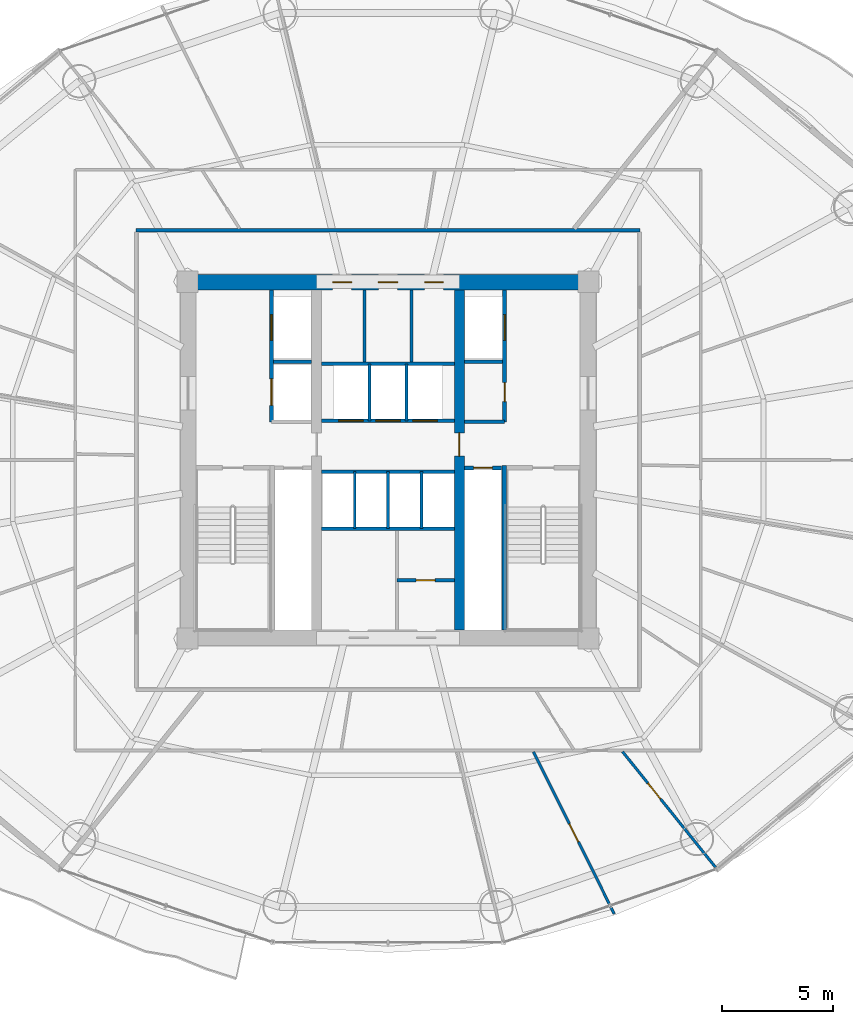
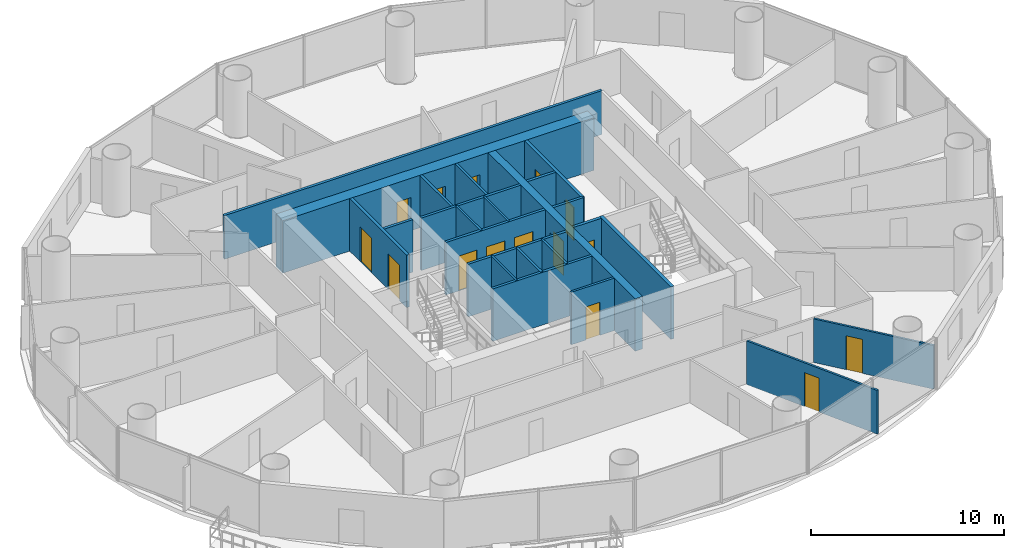
# One storey, part 23 of 29: 24 walls, 15 doors, 15 openings.
"""IFC4 building model written with IfcOpenShell, lengths in metres."""

from ifc_helpers import new_model, si_unit, direction, frame, frame_2d, origin, place, context, subcontext, project, spatial, rectangle, extrude, source, transform, mapped, material, layer, layer_set, type_object, element, fill, save


model = new_model("IFC4")

# Units and contexts
model_context = context("Model", 3, precision=1e-05, world=origin(), true_north=direction((-0.2419218956, 0.970295726276)))
body_context = subcontext(model_context, "Body", "Model", "MODEL_VIEW")
ifc_project = project(units=[si_unit("LENGTHUNIT", "METRE"), si_unit("AREAUNIT", "SQUARE_METRE"), si_unit("VOLUMEUNIT", "CUBIC_METRE"), si_unit("PLANEANGLEUNIT", "RADIAN"), si_unit("MASSUNIT", "GRAM", prefix="KILO")], contexts=[model_context])

# Site, building, storey
site_placement = place(None, origin())
site = spatial("IfcSite", under=ifc_project, at=site_placement, CompositionType="ELEMENT")
building_placement = place(site_placement, origin())
building = spatial("IfcBuilding", under=site, at=building_placement, Name="Cobrevalo Terracotta Tower", CompositionType="ELEMENT")
storey_placement = place(building_placement, frame((0.0, 0.0, 115.800048828125)))
storey = spatial("IfcBuildingStorey", under=building, at=storey_placement, Name="L30", CompositionType="ELEMENT", Elevation=115.800048828125)

# Wall, openings, doors
ifc_material_1 = material(Name="Concrete C60", Category="concrete")
ifc_layer_1 = layer(ifc_material_1, 0.699951171875)
ifc_layer_set_1 = layer_set([ifc_layer_1], Name="Concrete C60")
wall_type_1 = type_object("IfcWallType", Name="Core shear wall 700 mm Concrete C60", PredefinedType="SHEAR", material=ifc_layer_set_1)
wall_1_placement = place(storey_placement, frame((28.675048828125, 34.77490234375, 0.0), z_axis=(0.0, 0.0, 1.0), x_axis=(1.0, 0.0, 0.0)))
wall_1 = element("IfcWall", 1, at=wall_1_placement, inside=storey, type_object=wall_type_1, Name="L30 north core shear wall", PredefinedType="SHEAR", context=body_context, shape_type="SweptSolid", body=[
    extrude(rectangle(XDim=18.64990234375, YDim=0.699951171875, at=frame_2d((9.324951171875, 0.0))), origin(), (0.0, 0.0, 1.0), 3.324951171875),
])
opening_1_placement = place(wall_1_placement, frame((6.83740234375, 0.0, 0.0)))
opening_1 = element("IfcOpeningElement", 2, at=opening_1_placement, cuts=wall_1, Name="Opening ID-22", PredefinedType="OPENING", context=body_context, shape_type="SweptSolid", body=[
    extrude(rectangle(XDim=0.85009765625, YDim=2.10009765625, at=frame_2d((0.425048828125, 1.050048828125))), frame((0.0, 0.35986328125, 0.0), z_axis=(0.0, -1.0, 0.0), x_axis=(1.0, 0.0, 0.0)), (0.0, 0.0, 1.0), 0.719970703125),
])
opening_2_placement = place(wall_1_placement, frame((8.89501953125, 0.0, 0.0)))
opening_2 = element("IfcOpeningElement", 3, at=opening_2_placement, cuts=wall_1, Name="Opening ID-07", PredefinedType="OPENING", context=body_context, shape_type="SweptSolid", body=[
    extrude(rectangle(XDim=0.860107421875, YDim=2.10009765625, at=frame_2d((0.43017578125, 1.050048828125))), frame((0.0, 0.35986328125, 0.0), z_axis=(0.0, -1.0, 0.0), x_axis=(1.0, 0.0, 0.0)), (0.0, 0.0, 1.0), 0.719970703125),
])
opening_3_placement = place(wall_1_placement, frame((10.96240234375, 0.0, 0.0)))
opening_3 = element("IfcOpeningElement", 4, at=opening_3_placement, cuts=wall_1, Name="Opening ID-22", PredefinedType="OPENING", context=body_context, shape_type="SweptSolid", body=[
    extrude(rectangle(XDim=0.85009765625, YDim=2.10009765625, at=frame_2d((0.425048828125, 1.050048828125))), frame((0.0, 0.35986328125, 0.0), z_axis=(0.0, -1.0, 0.0), x_axis=(1.0, 0.0, 0.0)), (0.0, 0.0, 1.0), 0.719970703125),
])
ifc_material_2 = material(Name="Powder-coated steel", Category="steel")
door_type_1 = type_object("IfcDoorType", Name="Riser shaft & meter closet fire access door 850x2100 EI 60", OperationType="NOTDEFINED", PredefinedType="DOOR", material=ifc_material_2)
shared_shape_1 = source(origin(), body_context, "Body", "SweptSolid", [
    extrude(rectangle(XDim=0.85009765625, YDim=2.10009765625, at=frame_2d((0.425048828125, 1.050048828125))), frame((0.0, 0.02490234375, 0.0), z_axis=(0.0, -1.0, 0.0), x_axis=(1.0, 0.0, 0.0)), (0.0, 0.0, 1.0), 0.050048828125),
])
door_1_placement = place(opening_1_placement, frame((0.85009765625, 0.0, 0.0), z_axis=(0.0, 0.0, 1.0), x_axis=(-1.0, 0.0, 0.0)))
door_1 = element("IfcDoor", 5, at=door_1_placement, inside=storey, type_object=door_type_1, Name="L30 core north service door Housekeeping Linen Store", OperationType="SINGLE_SWING_LEFT", OverallHeight=2.10009765625, OverallWidth=0.85009765625, PredefinedType="DOOR", context=body_context, shape_type="MappedRepresentation", body=[
    mapped(shared_shape_1, transform((0.0, 0.0, 0.0), scale=1.0)),
])
fill(opening_1, door_1)
door_2_placement = place(opening_3_placement, frame((0.85009765625, 0.0, 0.0), z_axis=(0.0, 0.0, 1.0), x_axis=(-1.0, 0.0, 0.0)))
door_2 = element("IfcDoor", 6, at=door_2_placement, inside=storey, type_object=door_type_1, Name="L30 core north service door Floor BMS Mechanical Plant", OperationType="SINGLE_SWING_LEFT", OverallHeight=2.10009765625, OverallWidth=0.85009765625, PredefinedType="DOOR", context=body_context, shape_type="MappedRepresentation", body=[
    mapped(shared_shape_1, transform((0.0, 0.0, 0.0), scale=1.0)),
])
fill(opening_3, door_2)
ifc_material_3 = material(Name="Fire-rated moisture-sealed timber", Category="wood")
door_type_2 = type_object("IfcDoorType", Name="Core & podium fire-rated accessible WC door 860x2100 EI 60", OperationType="NOTDEFINED", PredefinedType="DOOR", material=ifc_material_3)
shared_shape_2 = source(origin(), body_context, "Body", "SweptSolid", [
    extrude(rectangle(XDim=0.860107421875, YDim=2.10009765625, at=frame_2d((0.43017578125, 1.050048828125))), frame((0.0, 0.02490234375, 0.0), z_axis=(0.0, -1.0, 0.0), x_axis=(1.0, 0.0, 0.0)), (0.0, 0.0, 1.0), 0.050048828125),
])
door_3_placement = place(opening_2_placement, frame((0.860107421875, 0.0, 0.0), z_axis=(0.0, 0.0, 1.0), x_axis=(-1.0, 0.0, 0.0)))
door_3 = element("IfcDoor", 7, at=door_3_placement, inside=storey, type_object=door_type_2, Name="L30 core north service door Floor Service Toilet WC", OperationType="SINGLE_SWING_RIGHT", OverallHeight=2.10009765625, OverallWidth=0.860107421875, PredefinedType="DOOR", context=body_context, shape_type="MappedRepresentation", body=[
    mapped(shared_shape_2, transform((0.0, 0.0, 0.0), scale=1.0)),
])
fill(opening_2, door_3)

# Walls
ifc_material_4 = material(Name="Gypsum board on steel stud", Category="steel")
ifc_layer_2 = layer(ifc_material_4, 0.159912109375)
ifc_layer_set_2 = layer_set([ifc_layer_2], Name="Gypsum board on steel stud")
wall_type_2 = type_object("IfcWallType", Name="Fire-rated corridor acoustic partition wall 160 mm", PredefinedType="PARTITIONING", material=ifc_layer_set_2)
for number, where, z_axis, x_axis, name in (
    (8, (32.860107421875, 31.219970703125, 0.0), (0.0, 0.0, 1.0), (1.0, 0.0, 0.0), "L30 interior partition IW-L30-FF1-M"),
    (9, (41.425048828125, 31.219970703125, 0.0), (0.0, 0.0, 1.0), (1.0, 0.0, 0.0), "L30 interior partition IW-L30-FF2-M"),
):
    element("IfcWall", number, at=place(storey_placement, frame(where, z_axis=z_axis, x_axis=x_axis)), inside=storey, type_object=wall_type_2, Name=name, PredefinedType="PARTITIONING", context=body_context, shape_type="SweptSolid", body=[
        extrude(rectangle(XDim=1.71484375, YDim=0.159912109375, at=frame_2d((0.857421875, 0.0))), origin(), (0.0, 0.0, 1.0), 3.324951171875),
    ])
wall_2_placement = place(storey_placement, frame((41.425048828125, 28.52001953125, 0.0), z_axis=(0.0, 0.0, 1.0), x_axis=(1.0, 0.0, 0.0)))
element("IfcWall", 10, at=wall_2_placement, inside=storey, type_object=wall_type_2, Name="L30 interior partition IW-L30-FF2-S", PredefinedType="PARTITIONING", context=body_context, shape_type="SweptSolid", body=[
    extrude(rectangle(XDim=1.804931640625, YDim=0.159912109375, at=frame_2d((0.90234375, 0.0))), origin(), (0.0, 0.0, 1.0), 3.324951171875),
])

# Wall, openings, doors
wall_3_placement = place(storey_placement, frame((35.02490234375, 28.56005859375, 0.0), z_axis=(0.0, 0.0, 1.0), x_axis=(1.0, 0.0, 0.0)))
wall_3 = element("IfcWall", 11, at=wall_3_placement, inside=storey, type_object=wall_type_2, Name="L30 interior partition IW-L30-LB-S", PredefinedType="PARTITIONING", context=body_context, shape_type="SweptSolid", body=[
    extrude(rectangle(XDim=5.9501953125, YDim=0.159912109375, at=frame_2d((2.97509765625, 0.0))), origin(), (0.0, 0.0, 1.0), 3.324951171875),
])
opening_4_placement = place(wall_3_placement, frame((0.760009765625, 0.0, 0.0)))
opening_4 = element("IfcOpeningElement", 12, at=opening_4_placement, cuts=wall_3, Name="Opening LD-01", PredefinedType="OPENING", context=body_context, shape_type="SweptSolid", body=[
    extrude(rectangle(XDim=1.10009765625, YDim=2.199951171875, at=frame_2d((0.550048828125, 1.10009765625))), frame((0.0, 0.08984375, 0.0), z_axis=(0.0, -1.0, 0.0), x_axis=(1.0, 0.0, 0.0)), (0.0, 0.0, 1.0), 0.179931640625),
])
opening_5_placement = place(wall_3_placement, frame((2.425048828125, 0.0, 0.0)))
opening_5 = element("IfcOpeningElement", 13, at=opening_5_placement, cuts=wall_3, Name="Opening LD-01", PredefinedType="OPENING", context=body_context, shape_type="SweptSolid", body=[
    extrude(rectangle(XDim=1.10009765625, YDim=2.199951171875, at=frame_2d((0.550048828125, 1.10009765625))), frame((0.0, 0.08984375, 0.0), z_axis=(0.0, -1.0, 0.0), x_axis=(1.0, 0.0, 0.0)), (0.0, 0.0, 1.0), 0.179931640625),
])
opening_6_placement = place(wall_3_placement, frame((4.090087890625, 0.0, 0.0)))
opening_6 = element("IfcOpeningElement", 14, at=opening_6_placement, cuts=wall_3, Name="Opening LD-01", PredefinedType="OPENING", context=body_context, shape_type="SweptSolid", body=[
    extrude(rectangle(XDim=1.10009765625, YDim=2.199951171875, at=frame_2d((0.550048828125, 1.10009765625))), frame((0.0, 0.08984375, 0.0), z_axis=(0.0, -1.0, 0.0), x_axis=(1.0, 0.0, 0.0)), (0.0, 0.0, 1.0), 0.179931640625),
])
ifc_material_5 = material(Name="Brushed stainless steel", Category="steel")
door_type_3 = type_object("IfcDoorType", Name="Passenger lift landing bi-parting sliding door 1100x2200 EI 90", OperationType="DOUBLE_DOOR_SLIDING", PredefinedType="DOOR", material=ifc_material_5)
shared_shape_3 = source(origin(), body_context, "Body", "SweptSolid", [
    extrude(rectangle(XDim=1.10009765625, YDim=2.199951171875, at=frame_2d((0.550048828125, 1.10009765625))), frame((0.0, 0.02490234375, 0.0), z_axis=(0.0, -1.0, 0.0), x_axis=(1.0, 0.0, 0.0)), (0.0, 0.0, 1.0), 0.050048828125),
])
door_4_placement = place(opening_4_placement, origin())
door_4 = element("IfcDoor", 15, at=door_4_placement, inside=storey, type_object=door_type_3, Name="L30 lift landing door PL-L1", OperationType="DOUBLE_DOOR_SLIDING", OverallHeight=2.199951171875, OverallWidth=1.10009765625, PredefinedType="DOOR", context=body_context, shape_type="MappedRepresentation", body=[
    mapped(shared_shape_3, transform((0.0, 0.0, 0.0), scale=1.0)),
])
fill(opening_4, door_4)
door_5_placement = place(opening_5_placement, origin())
door_5 = element("IfcDoor", 16, at=door_5_placement, inside=storey, type_object=door_type_3, Name="L30 lift landing door PL-L2", OperationType="DOUBLE_DOOR_SLIDING", OverallHeight=2.199951171875, OverallWidth=1.10009765625, PredefinedType="DOOR", context=body_context, shape_type="MappedRepresentation", body=[
    mapped(shared_shape_3, transform((0.0, 0.0, 0.0), scale=1.0)),
])
fill(opening_5, door_5)
door_6_placement = place(opening_6_placement, origin())
door_6 = element("IfcDoor", 17, at=door_6_placement, inside=storey, type_object=door_type_3, Name="L30 lift landing door PL-L3", OperationType="DOUBLE_DOOR_SLIDING", OverallHeight=2.199951171875, OverallWidth=1.10009765625, PredefinedType="DOOR", context=body_context, shape_type="MappedRepresentation", body=[
    mapped(shared_shape_3, transform((0.0, 0.0, 0.0), scale=1.0)),
])
fill(opening_6, door_6)

# Walls
for number, where, z_axis, x_axis, name in (
    (18, (35.02490234375, 31.1201171875, 0.0), (0.0, 0.0, 1.0), (1.0, 0.0, 0.0), "L30 interior partition IW-L30-LB-N"),
    (19, (35.02490234375, 26.280029296875, 0.0), (0.0, 0.0, 1.0), (1.0, 0.0, 0.0), "L30 interior partition IW-L30-MB-N"),
    (20, (35.02490234375, 23.719970703125, 0.0), (0.0, 0.0, 1.0), (1.0, 0.0, 0.0), "L30 interior partition IW-L30-MB-S"),
):
    element("IfcWall", number, at=place(storey_placement, frame(where, z_axis=z_axis, x_axis=x_axis)), inside=storey, type_object=wall_type_2, Name=name, PredefinedType="PARTITIONING", context=body_context, shape_type="SweptSolid", body=[
        extrude(rectangle(XDim=5.9501953125, YDim=0.159912109375, at=frame_2d((2.97509765625, 0.0))), origin(), (0.0, 0.0, 1.0), 3.324951171875),
    ])
wall_4_placement = place(storey_placement, frame((26.695068359375, 37.10498046875, 0.0), z_axis=(0.0, 0.0, 1.0), x_axis=(1.0, 0.0, 0.0)))
element("IfcWall", 21, at=wall_4_placement, inside=storey, type_object=wall_type_2, Name="L30 interior partition IW-L30-COR-N", PredefinedType="PARTITIONING", context=body_context, shape_type="SweptSolid", body=[
    extrude(rectangle(XDim=22.60986328125, YDim=0.159912109375, at=frame_2d((11.304931640625, 0.0))), origin(), (0.0, 0.0, 1.0), 2.766845703125),
])

# Wall, opening, door
ifc_layer_3 = layer(ifc_material_4, 0.179931640625)
ifc_layer_set_3 = layer_set([ifc_layer_3], Name="Gypsum board on steel stud")
wall_type_3 = type_object("IfcWallType", Name="Fire-rated shaft & lobby acoustic partition wall 180 mm", PredefinedType="PARTITIONING", material=ifc_layer_set_3)
wall_5_placement = place(storey_placement, frame((41.425048828125, 26.449951171875, 0.0), z_axis=(0.0, 0.0, 1.0), x_axis=(1.0, 0.0, 0.0)))
wall_5 = element("IfcWall", 22, at=wall_5_placement, inside=storey, type_object=wall_type_3, Name="L30 interior partition IW-L30-RSE-N", PredefinedType="PARTITIONING", context=body_context, shape_type="SweptSolid", body=[
    extrude(rectangle(XDim=1.675048828125, YDim=0.179931640625, at=frame_2d((0.83740234375, 0.0))), origin(), (0.0, 0.0, 1.0), 3.324951171875),
])
opening_7_placement = place(wall_5_placement, frame((0.41259765625, 0.0, 0.0)))
opening_7 = element("IfcOpeningElement", 23, at=opening_7_placement, cuts=wall_5, Name="Opening ID-22", PredefinedType="OPENING", context=body_context, shape_type="SweptSolid", body=[
    extrude(rectangle(XDim=0.85009765625, YDim=2.10009765625, at=frame_2d((0.425048828125, 1.050048828125))), frame((0.0, 0.10009765625, 0.0), z_axis=(0.0, -1.0, 0.0), x_axis=(1.0, 0.0, 0.0)), (0.0, 0.0, 1.0), 0.199951171875),
])
door_7_placement = place(opening_7_placement, origin())
door_7 = element("IfcDoor", 24, at=door_7_placement, inside=storey, type_object=door_type_1, Name="L30 riser access door RSE", OperationType="SINGLE_SWING_RIGHT", OverallHeight=2.10009765625, OverallWidth=0.85009765625, PredefinedType="DOOR", context=body_context, shape_type="MappedRepresentation", body=[
    mapped(shared_shape_1, transform((0.0, 0.0, 0.0), scale=1.0)),
])
fill(opening_7, door_7)

# Wall, openings, doors
wall_6_placement = place(storey_placement, frame((32.77001953125, 28.52001953125, 0.0), z_axis=(0.0, 0.0, 1.0), x_axis=(0.0, 1.0, 0.0)))
wall_6 = element("IfcWall", 25, at=wall_6_placement, inside=storey, type_object=wall_type_3, Name="L30 interior partition IW-L30-FF1-W", PredefinedType="PARTITIONING", context=body_context, shape_type="SweptSolid", body=[
    extrude(rectangle(XDim=5.905029296875, YDim=0.179931640625, at=frame_2d((2.95263671875, 0.0))), origin(), (0.0, 0.0, 1.0), 3.324951171875),
])
opening_8_placement = place(wall_6_placement, frame((3.655029296875, 0.0, 0.0)))
opening_8 = element("IfcOpeningElement", 26, at=opening_8_placement, cuts=wall_6, Name="Opening LD-02", PredefinedType="OPENING", context=body_context, shape_type="SweptSolid", body=[
    extrude(rectangle(XDim=1.14990234375, YDim=2.199951171875, at=frame_2d((0.574951171875, 1.10009765625))), frame((0.0, 0.10009765625, 0.0), z_axis=(0.0, -1.0, 0.0), x_axis=(1.0, 0.0, 0.0)), (0.0, 0.0, 1.0), 0.199951171875),
])
opening_9_placement = place(wall_6_placement, frame((0.72998046875, 0.0, 0.0)))
opening_9 = element("IfcOpeningElement", 27, at=opening_9_placement, cuts=wall_6, Name="Opening LD-03", PredefinedType="OPENING", context=body_context, shape_type="SweptSolid", body=[
    extrude(rectangle(XDim=1.199951171875, YDim=2.25, at=frame_2d((0.60009765625, 1.125))), frame((0.0, 0.10009765625, 0.0), z_axis=(0.0, -1.0, 0.0), x_axis=(1.0, 0.0, 0.0)), (0.0, 0.0, 1.0), 0.199951171875),
])
door_type_4 = type_object("IfcDoorType", Name="Firefighting lift landing bi-parting sliding door 1150x2200 EI 120", OperationType="DOUBLE_DOOR_SLIDING", PredefinedType="DOOR", material=ifc_material_5)
shared_shape_4 = source(origin(), body_context, "Body", "SweptSolid", [
    extrude(rectangle(XDim=1.14990234375, YDim=2.199951171875, at=frame_2d((0.574951171875, 1.10009765625))), frame((0.0, 0.02490234375, 0.0), z_axis=(0.0, -1.0, 0.0), x_axis=(1.0, 0.0, 0.0)), (0.0, 0.0, 1.0), 0.050048828125),
])
door_8_placement = place(opening_8_placement, origin())
door_8 = element("IfcDoor", 28, at=door_8_placement, inside=storey, type_object=door_type_4, Name="L30 lift landing door FF-1", OperationType="DOUBLE_DOOR_SLIDING", OverallHeight=2.199951171875, OverallWidth=1.14990234375, PredefinedType="DOOR", context=body_context, shape_type="MappedRepresentation", body=[
    mapped(shared_shape_4, transform((0.0, 0.0, 0.0), scale=1.0)),
])
fill(opening_8, door_8)
door_type_5 = type_object("IfcDoorType", Name="Service lift landing bi-parting sliding door 1200x2250 EI 120", OperationType="DOUBLE_DOOR_SLIDING", PredefinedType="DOOR", material=ifc_material_5)
shared_shape_5 = source(origin(), body_context, "Body", "SweptSolid", [
    extrude(rectangle(XDim=1.199951171875, YDim=2.25, at=frame_2d((0.60009765625, 1.125))), frame((0.0, 0.02490234375, 0.0), z_axis=(0.0, -1.0, 0.0), x_axis=(1.0, 0.0, 0.0)), (0.0, 0.0, 1.0), 0.050048828125),
])
door_9_placement = place(opening_9_placement, origin())
door_9 = element("IfcDoor", 29, at=door_9_placement, inside=storey, type_object=door_type_5, Name="L30 lift landing door SV-1", OperationType="DOUBLE_DOOR_SLIDING", OverallHeight=2.25, OverallWidth=1.199951171875, PredefinedType="DOOR", context=body_context, shape_type="MappedRepresentation", body=[
    mapped(shared_shape_5, transform((0.0, 0.0, 0.0), scale=1.0)),
])
fill(opening_9, door_9)

wall_7_placement = place(storey_placement, frame((43.22998046875, 28.52001953125, 0.0), z_axis=(0.0, 0.0, 1.0), x_axis=(0.0, 1.0, 0.0)))
wall_7 = element("IfcWall", 30, at=wall_7_placement, inside=storey, type_object=wall_type_3, Name="L30 interior partition IW-L30-FF2-E", PredefinedType="PARTITIONING", context=body_context, shape_type="SweptSolid", body=[
    extrude(rectangle(XDim=5.905029296875, YDim=0.179931640625, at=frame_2d((2.95263671875, 0.0))), origin(), (0.0, 0.0, 1.0), 3.324951171875),
])
opening_10_placement = place(wall_7_placement, frame((0.905029296875, 0.0, 0.0)))
opening_10 = element("IfcOpeningElement", 31, at=opening_10_placement, cuts=wall_7, Name="Opening ID-22", PredefinedType="OPENING", context=body_context, shape_type="SweptSolid", body=[
    extrude(rectangle(XDim=0.85009765625, YDim=2.10009765625, at=frame_2d((0.425048828125, 1.050048828125))), frame((0.0, 0.10009765625, 0.0), z_axis=(0.0, -1.0, 0.0), x_axis=(1.0, 0.0, 0.0)), (0.0, 0.0, 1.0), 0.199951171875),
])
opening_11_placement = place(wall_7_placement, frame((3.655029296875, 0.0, 0.0)))
opening_11 = element("IfcOpeningElement", 32, at=opening_11_placement, cuts=wall_7, Name="Opening LD-02", PredefinedType="OPENING", context=body_context, shape_type="SweptSolid", body=[
    extrude(rectangle(XDim=1.14990234375, YDim=2.199951171875, at=frame_2d((0.574951171875, 1.10009765625))), frame((0.0, 0.10009765625, 0.0), z_axis=(0.0, -1.0, 0.0), x_axis=(1.0, 0.0, 0.0)), (0.0, 0.0, 1.0), 0.199951171875),
])
door_10_placement = place(opening_10_placement, frame((0.85009765625, 0.0, 0.0), z_axis=(0.0, 0.0, 1.0), x_axis=(-1.0, 0.0, 0.0)))
door_10 = element("IfcDoor", 33, at=door_10_placement, inside=storey, type_object=door_type_1, Name="L30 housekeeping store door", OperationType="SINGLE_SWING_RIGHT", OverallHeight=2.10009765625, OverallWidth=0.85009765625, PredefinedType="DOOR", context=body_context, shape_type="MappedRepresentation", body=[
    mapped(shared_shape_1, transform((0.0, 0.0, 0.0), scale=1.0)),
])
fill(opening_10, door_10)
door_11_placement = place(opening_11_placement, origin())
door_11 = element("IfcDoor", 34, at=door_11_placement, inside=storey, type_object=door_type_4, Name="L30 lift landing door FF-2", OperationType="DOUBLE_DOOR_SLIDING", OverallHeight=2.199951171875, OverallWidth=1.14990234375, PredefinedType="DOOR", context=body_context, shape_type="MappedRepresentation", body=[
    mapped(shared_shape_4, transform((0.0, 0.0, 0.0), scale=1.0)),
])
fill(opening_11, door_11)

# Walls
ifc_material_6 = material(Name="Autoclaved aerated concrete block", Category="concrete")
ifc_layer_4 = layer(ifc_material_6, 0.1201171875)
ifc_layer_set_4 = layer_set([ifc_layer_4], Name="Autoclaved aerated concrete block")
wall_type_4 = type_object("IfcWallType", Name="Fire-rated wet-room & core service partition 120 mm", PredefinedType="PARTITIONING", material=ifc_layer_set_4)
for number, where, z_axis, x_axis, name in (
    (35, (37.169921875, 28.56005859375, 0.0), (0.0, 0.0, 1.0), (0.0, 1.0, 0.0), "L30 interior partition IW-L30-LB-D1"),
    (36, (38.830078125, 28.56005859375, 0.0), (0.0, 0.0, 1.0), (0.0, 1.0, 0.0), "L30 interior partition IW-L30-LB-D2"),
    (37, (36.5, 23.719970703125, 0.0), (0.0, 0.0, 1.0), (0.0, 1.0, 0.0), "L30 interior partition IW-L30-MB-D1"),
    (38, (39.5, 23.719970703125, 0.0), (0.0, 0.0, 1.0), (0.0, 1.0, 0.0), "L30 interior partition IW-L30-MB-D3"),
):
    element("IfcWall", number, at=place(storey_placement, frame(where, z_axis=z_axis, x_axis=x_axis)), inside=storey, type_object=wall_type_4, Name=name, PredefinedType="PARTITIONING", context=body_context, shape_type="SweptSolid", body=[
        extrude(rectangle(XDim=2.56005859375, YDim=0.1201171875, at=frame_2d((1.280029296875, 0.0))), origin(), (0.0, 0.0, 1.0), 3.324951171875),
    ])

# Wall, opening, door
ifc_material_7 = material(Name="Concrete C55", Category="concrete")
ifc_layer_5 = layer(ifc_material_7, 0.449951171875)
ifc_layer_set_5 = layer_set([ifc_layer_5], Name="Concrete C55")
wall_type_5 = type_object("IfcWallType", Name="Internal core shear web wall 450 mm Concrete C55", PredefinedType="SHEAR", material=ifc_layer_set_5)
wall_8_placement = place(storey_placement, frame((41.199951171875, 19.175048828125, 0.0), z_axis=(0.0, 0.0, 1.0), x_axis=(0.0, 1.0, 0.0)))
wall_8 = element("IfcWall", 39, at=wall_8_placement, inside=storey, type_object=wall_type_5, Name="L30 internal core shear wall WEB-E", PredefinedType="SHEAR", context=body_context, shape_type="SweptSolid", body=[
    extrude(rectangle(XDim=15.25, YDim=0.449951171875, at=frame_2d((7.625, 0.0))), origin(), (0.0, 0.0, 1.0), 3.324951171875),
])
opening_12_placement = place(wall_8_placement, frame((7.800048828125, 0.0, 0.0)))
opening_12 = element("IfcOpeningElement", 40, at=opening_12_placement, cuts=wall_8, Name="Opening ID-11", PredefinedType="OPENING", context=body_context, shape_type="SweptSolid", body=[
    extrude(rectangle(XDim=1.050048828125, YDim=2.14990234375, at=frame_2d((0.52490234375, 1.074951171875))), frame((0.0, 0.23486328125, 0.0), z_axis=(0.0, -1.0, 0.0), x_axis=(1.0, 0.0, 0.0)), (0.0, 0.0, 1.0), 0.469970703125),
])
ifc_material_8 = material(Name="Galvanized fire-rated steel", Category="steel")
door_type_6 = type_object("IfcDoorType", Name="Core concourse cross fire door 1050x2150 EI 90", OperationType="NOTDEFINED", PredefinedType="DOOR", material=ifc_material_8)
shared_shape_6 = source(origin(), body_context, "Body", "SweptSolid", [
    extrude(rectangle(XDim=1.050048828125, YDim=2.14990234375, at=frame_2d((0.52490234375, 1.074951171875))), frame((0.0, 0.02490234375, 0.0), z_axis=(0.0, -1.0, 0.0), x_axis=(1.0, 0.0, 0.0)), (0.0, 0.0, 1.0), 0.050048828125),
])
door_12_placement = place(opening_12_placement, frame((1.050048828125, 0.0, 0.0), z_axis=(0.0, 0.0, 1.0), x_axis=(-1.0, 0.0, 0.0)))
door_12 = element("IfcDoor", 41, at=door_12_placement, inside=storey, type_object=door_type_6, Name="L30 east core concourse cross door", OperationType="SINGLE_SWING_RIGHT", OverallHeight=2.14990234375, OverallWidth=1.050048828125, PredefinedType="DOOR", context=body_context, shape_type="MappedRepresentation", body=[
    mapped(shared_shape_6, transform((0.0, 0.0, 0.0), scale=1.0)),
])
fill(opening_12, door_12)

# Walls
ifc_layer_6 = layer(ifc_material_6, 0.139892578125)
ifc_layer_set_6 = layer_set([ifc_layer_6], Name="Autoclaved aerated concrete block")
wall_type_6 = type_object("IfcWallType", Name="Moisture-resistant wet-room & core service partition 140 mm", PredefinedType="PARTITIONING", material=ifc_layer_set_6)
for number, where, z_axis, x_axis, name in (
    (42, (36.949951171875, 31.199951171875, 0.0), (0.0, 0.0, 1.0), (0.0, 1.0, 0.0), "L30 interior partition IW-L30-KVN-A"),
    (43, (39.050048828125, 31.199951171875, 0.0), (0.0, 0.0, 1.0), (0.0, 1.0, 0.0), "L30 interior partition IW-L30-KVN-B"),
):
    element("IfcWall", number, at=place(storey_placement, frame(where, z_axis=z_axis, x_axis=x_axis)), inside=storey, type_object=wall_type_6, Name=name, PredefinedType="PARTITIONING", context=body_context, shape_type="SweptSolid", body=[
        extrude(rectangle(XDim=3.22509765625, YDim=0.139892578125, at=frame_2d((1.612548828125, 0.0))), origin(), (0.0, 0.0, 1.0), 3.324951171875),
    ])
wall_9_placement = place(storey_placement, frame((38.0, 23.719970703125, 0.0), z_axis=(0.0, 0.0, 1.0), x_axis=(0.0, 1.0, 0.0)))
element("IfcWall", 44, at=wall_9_placement, inside=storey, type_object=wall_type_6, Name="L30 interior partition IW-L30-MB-D2", PredefinedType="PARTITIONING", context=body_context, shape_type="SweptSolid", body=[
    extrude(rectangle(XDim=2.56005859375, YDim=0.139892578125, at=frame_2d((1.280029296875, 0.0))), origin(), (0.0, 0.0, 1.0), 3.324951171875),
])

# Wall, opening, door
wall_10_placement = place(storey_placement, frame((38.39990234375, 21.407470703125, 0.0), z_axis=(0.0, 0.0, 1.0), x_axis=(1.0, 0.0, 0.0)))
wall_10 = element("IfcWall", 45, at=wall_10_placement, inside=storey, type_object=wall_type_6, Name="L30 interior partition IW-L30-KVS-L2", PredefinedType="PARTITIONING", context=body_context, shape_type="SweptSolid", body=[
    extrude(rectangle(XDim=2.5751953125, YDim=0.139892578125, at=frame_2d((1.28759765625, 0.0))), origin(), (0.0, 0.0, 1.0), 3.324951171875),
])
opening_13_placement = place(wall_10_placement, frame((0.862548828125, 0.0, 0.0)))
opening_13 = element("IfcOpeningElement", 46, at=opening_13_placement, cuts=wall_10, Name="Opening ID-22", PredefinedType="OPENING", context=body_context, shape_type="SweptSolid", body=[
    extrude(rectangle(XDim=0.85009765625, YDim=2.10009765625, at=frame_2d((0.425048828125, 1.050048828125))), frame((0.0, 0.080078125, 0.0), z_axis=(0.0, -1.0, 0.0), x_axis=(1.0, 0.0, 0.0)), (0.0, 0.0, 1.0), 0.159912109375),
])
door_13_placement = place(opening_13_placement, origin())
door_13 = element("IfcDoor", 47, at=door_13_placement, inside=storey, type_object=door_type_1, Name="L30 core KVS-L2 inner door", OperationType="SINGLE_SWING_LEFT", OverallHeight=2.10009765625, OverallWidth=0.85009765625, PredefinedType="DOOR", context=body_context, shape_type="MappedRepresentation", body=[
    mapped(shared_shape_1, transform((0.0, 0.0, 0.0), scale=1.0)),
])
fill(opening_13, door_13)

ifc_layer_7 = layer(ifc_material_4, 0.1201171875)
ifc_layer_set_7 = layer_set([ifc_layer_7], Name="Gypsum board on steel stud")
wall_type_7 = type_object("IfcWallType", Name="Residential internal acoustic stud partition 120 mm", PredefinedType="PARTITIONING", material=ifc_layer_set_7)
wall_11_placement = place(storey_placement, frame((44.5263671875, 13.70947265625, 0.0), z_axis=(0.0, 0.0, 1.0), x_axis=(0.446179583353, -0.894943450392, 0.0)))
wall_11 = element("IfcWall", 48, at=wall_11_placement, inside=storey, type_object=wall_type_7, Name="L30 interior partition IW-L30-U2-ORAD2M1", PredefinedType="PARTITIONING", context=body_context, shape_type="SweptSolid", body=[
    extrude(rectangle(XDim=8.12451171875, YDim=0.1201171875, at=frame_2d((4.062255859375, 0.0))), origin(), (0.0, 0.0, 1.0), 2.766845703125),
])
opening_14_placement = place(wall_11_placement, frame((3.6123046875, 0.0, 0.0)))
opening_14 = element("IfcOpeningElement", 49, at=opening_14_placement, cuts=wall_11, Name="Opening ID-12", PredefinedType="OPENING", context=body_context, shape_type="SweptSolid", body=[
    extrude(rectangle(XDim=0.89990234375, YDim=2.14990234375, at=frame_2d((0.449951171875, 1.074951171875))), frame((0.0, 0.070068359375, 0.0), z_axis=(0.0, -1.0, 0.0), x_axis=(1.0, 0.0, 0.0)), (0.0, 0.0, 1.0), 0.14013671875),
])
ifc_material_9 = material(Name="Engineered timber", Category="wood")
door_type_7 = type_object("IfcDoorType", Name="Internal residence & suite timber door 900x2150", OperationType="NOTDEFINED", PredefinedType="DOOR", material=ifc_material_9)
shared_shape_7 = source(origin(), body_context, "Body", "SweptSolid", [
    extrude(rectangle(XDim=0.89990234375, YDim=2.14990234375, at=frame_2d((0.449951171875, 1.074951171875))), frame((0.0, 0.02490234375, 0.0), z_axis=(0.0, -1.0, 0.0), x_axis=(1.0, 0.0, 0.0)), (0.0, 0.0, 1.0), 0.050048828125),
])
door_14_placement = place(opening_14_placement, frame((0.89990234375, 0.0, 0.0), z_axis=(0.0, 0.0, 1.0), x_axis=(-1.0, 0.0, 0.0)))
door_14 = element("IfcDoor", 50, at=door_14_placement, inside=storey, type_object=door_type_7, Name="Flat L30B Master Bedroom internal door", OperationType="SINGLE_SWING_LEFT", OverallHeight=2.14990234375, OverallWidth=0.89990234375, PredefinedType="DOOR", context=body_context, shape_type="MappedRepresentation", body=[
    mapped(shared_shape_7, transform((0.0, 0.0, 0.0), scale=1.0)),
])
fill(opening_14, door_14)

wall_12_placement = place(storey_placement, frame((48.52197265625, 13.716796875, 0.0), z_axis=(0.0, 0.0, 1.0), x_axis=(0.626707979732, -0.77925419995, 0.0)))
wall_12 = element("IfcWall", 51, at=wall_12_placement, inside=storey, type_object=wall_type_7, Name="L30 interior partition IW-L30-U2-ORAD2", PredefinedType="PARTITIONING", context=body_context, shape_type="SweptSolid", body=[
    extrude(rectangle(XDim=6.6787109375, YDim=0.1201171875, at=frame_2d((3.33935546875, 0.0))), origin(), (0.0, 0.0, 1.0), 2.766845703125),
])
opening_15_placement = place(wall_12_placement, frame((1.8212890625, 0.0, 0.0)))
opening_15 = element("IfcOpeningElement", 52, at=opening_15_placement, cuts=wall_12, Name="Opening ID-12", PredefinedType="OPENING", context=body_context, shape_type="SweptSolid", body=[
    extrude(rectangle(XDim=0.89990234375, YDim=2.14990234375, at=frame_2d((0.449951171875, 1.074951171875))), frame((0.0, 0.070068359375, 0.0), z_axis=(0.0, -1.0, 0.0), x_axis=(1.0, 0.0, 0.0)), (0.0, 0.0, 1.0), 0.14013671875),
])
door_15_placement = place(opening_15_placement, origin())
door_15 = element("IfcDoor", 53, at=door_15_placement, inside=storey, type_object=door_type_7, Name="Flat L30B Principal Guest Bedroom internal door", OperationType="SINGLE_SWING_RIGHT", OverallHeight=2.14990234375, OverallWidth=0.89990234375, PredefinedType="DOOR", context=body_context, shape_type="MappedRepresentation", body=[
    mapped(shared_shape_7, transform((0.0, 0.0, 0.0), scale=1.0)),
])
fill(opening_15, door_15)

# Wall
ifc_material_10 = material(Name="Concrete C50", Category="concrete")
ifc_layer_8 = layer(ifc_material_10, 0.199951171875)
ifc_layer_set_8 = layer_set([ifc_layer_8], Name="Concrete C50")
wall_type_8 = type_object("IfcWallType", Name="Structural core & podium stair-shaft RC wall 200 mm Concrete C50", PredefinedType="SOLIDWALL", material=ifc_layer_set_8)
wall_13_placement = place(storey_placement, frame((43.205078125, 19.175048828125, 0.0), z_axis=(0.0, 0.0, 1.0), x_axis=(0.0, 1.0, 0.0)))
element("IfcWall", 54, at=wall_13_placement, inside=storey, type_object=wall_type_8, Name="L30 ST-2 west structural shaft wall", PredefinedType="SOLIDWALL", context=body_context, shape_type="SweptSolid", body=[
    extrude(rectangle(XDim=7.375, YDim=0.199951171875, at=frame_2d((3.6875, 0.0))), origin(), (0.0, 0.0, 1.0), 3.324951171875),
])

save(model, "model.ifc")
